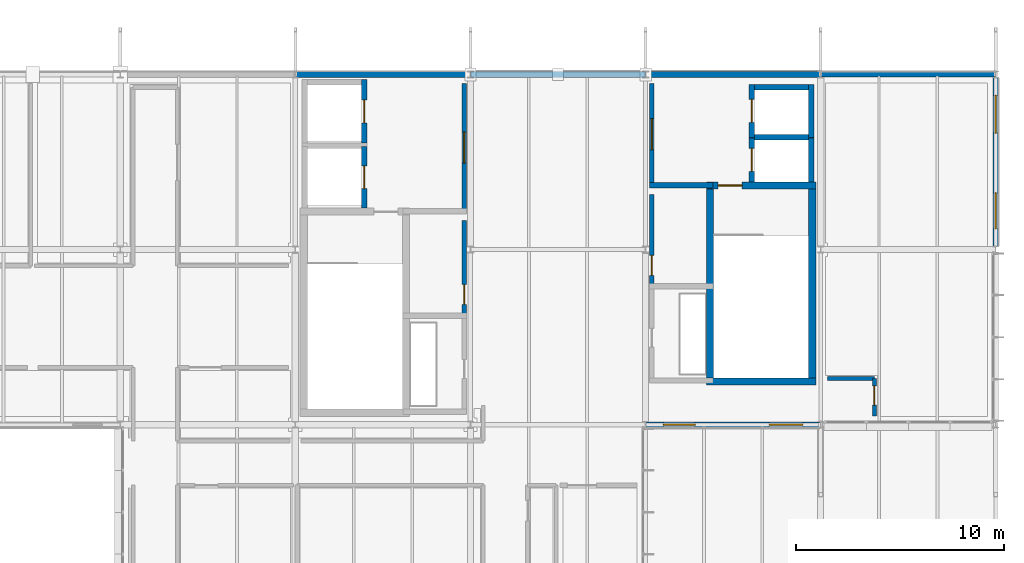
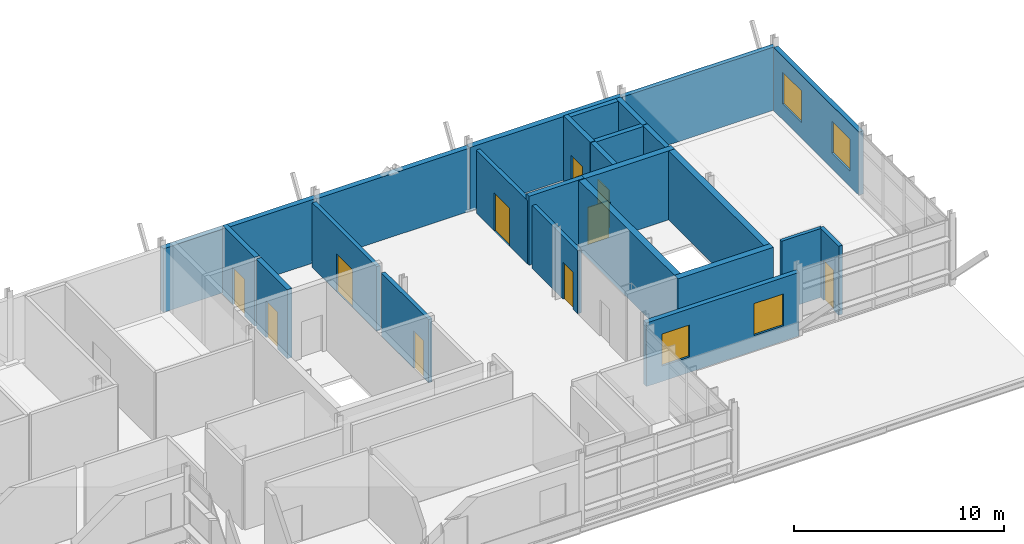
# One storey, part 32 of 35: 25 walls, 10 doors, 4 windows, 14 openings.
"""IFC4 building model written with IfcOpenShell, lengths in metres."""

from ifc_helpers import new_model, si_unit, direction, frame, frame_2d, origin, place, context, subcontext, project, spatial, rectangle, extrude, material, layer, layer_set, type_object, element, fill, save


model = new_model("IFC4")

# Units and contexts
model_context = context("Model", 3, precision=1e-05, world=origin(), true_north=direction((0.0, 1.0)))
body_context = subcontext(model_context, "Body", "Model", "MODEL_VIEW")
ifc_project = project(units=[si_unit("LENGTHUNIT", "METRE"), si_unit("AREAUNIT", "SQUARE_METRE"), si_unit("VOLUMEUNIT", "CUBIC_METRE"), si_unit("PLANEANGLEUNIT", "RADIAN"), si_unit("MASSUNIT", "GRAM", prefix="KILO")], contexts=[model_context])

# Site, building, storey
site_placement = place(None, origin())
site = spatial("IfcSite", under=ifc_project, at=site_placement, CompositionType="ELEMENT")
building_placement = place(site_placement, origin())
building = spatial("IfcBuilding", under=site, at=building_placement, Name="Mersafa Astral City Hall", CompositionType="ELEMENT")
storey_placement = place(building_placement, frame((0.0, 0.0, 30.14990234375)))
storey = spatial("IfcBuildingStorey", under=building, at=storey_placement, Name="L07", CompositionType="ELEMENT", Elevation=30.14990234375)

# Wall
ifc_material_1 = material(Name="Precast concrete C40/50 insulated terracotta spandrel", Category="masonry")
ifc_layer_1 = layer(ifc_material_1, 0.235107421875, Name="Precast concrete C40/50 insulated terracotta spandrel")
ifc_layer_set_1 = layer_set([ifc_layer_1], Name="Precast concrete C40/50 insulated terracotta spandrel — ENV-WAL-EXT-235")
wall_type_1 = type_object("IfcWallType", Name="ENV-WAL-EXT-235", PredefinedType="STANDARD", material=ifc_layer_set_1)
wall_1_placement = place(storey_placement, frame((184.7919921875, 126.0, 0.0), z_axis=(0.0, 0.0, 1.0), x_axis=(-1.0, 0.0, 0.0)))
element("IfcWall", 1, at=wall_1_placement, inside=storey, type_object=wall_type_1, Name="L07 Limestone-clad exterior wall 389", PredefinedType="STANDARD", context=body_context, shape_type="SweptSolid", body=[
    extrude(rectangle(XDim=8.384033203125, YDim=0.235107421875, at=frame_2d((4.19189453125, 0.0))), origin(), (0.0, 0.0, 1.0), 3.662109375),
])

# Wall, openings, windows
ifc_layer_2 = layer(ifc_material_1, 0.25, Name="Precast concrete C40/50 insulated terracotta spandrel")
ifc_layer_set_2 = layer_set([ifc_layer_2], Name="Precast concrete C40/50 insulated terracotta spandrel — ENV-WAL-EXT-250")
wall_type_2 = type_object("IfcWallType", Name="ENV-WAL-EXT-250", PredefinedType="STANDARD", material=ifc_layer_set_2)
wall_2_placement = place(storey_placement, frame((184.800048828125, 117.74609375, 0.0), z_axis=(0.0, 0.0, 1.0), x_axis=(0.0, 1.0, 0.0)))
wall_2 = element("IfcWall", 2, at=wall_2_placement, inside=storey, type_object=wall_type_2, Name="L07 Limestone-clad exterior wall 388", PredefinedType="STANDARD", context=body_context, shape_type="SweptSolid", body=[
    extrude(rectangle(XDim=8.10791015625, YDim=0.25, at=frame_2d((4.053955078125, 0.0))), origin(), (0.0, 0.0, 1.0), 3.662109375),
])
opening_1_placement = place(wall_2_placement, frame((0.85009765625, 0.0, 0.89990234375)))
opening_1 = element("IfcOpeningElement", 3, at=opening_1_placement, cuts=wall_2, Name="Opening W-48", PredefinedType="OPENING", context=body_context, shape_type="SweptSolid", body=[
    extrude(rectangle(XDim=1.719970703125, YDim=1.85009765625, at=frame_2d((0.85986328125, 0.925048828125))), frame((0.0, 0.135009765625, 0.0), z_axis=(0.0, -1.0, 0.0), x_axis=(1.0, 0.0, 0.0)), (0.0, 0.0, 1.0), 0.27001953125),
])
opening_2_placement = place(wall_2_placement, frame((5.43798828125, 0.0, 0.89990234375)))
opening_2 = element("IfcOpeningElement", 4, at=opening_2_placement, cuts=wall_2, Name="Opening W-49", PredefinedType="OPENING", context=body_context, shape_type="SweptSolid", body=[
    extrude(rectangle(XDim=1.820068359375, YDim=1.85009765625, at=frame_2d((0.91015625, 0.925048828125))), frame((0.0, 0.135009765625, 0.0), z_axis=(0.0, -1.0, 0.0), x_axis=(1.0, 0.0, 0.0)), (0.0, 0.0, 1.0), 0.27001953125),
])
ifc_material_2 = material(Name="Solar control low-e double glazing in bronze frame", Category="glass")
window_type_1 = type_object("IfcWindowType", Name="ENV-WIN-W-48", PartitioningType="SINGLE_PANEL", PredefinedType="WINDOW", material=ifc_material_2)
window_1_placement = place(opening_1_placement, origin())
window_1 = element("IfcWindow", 5, at=window_1_placement, inside=storey, type_object=window_type_1, Name="L07 Solar punched window 388-L", OverallHeight=1.85009765625, OverallWidth=1.719970703125, PartitioningType="SINGLE_PANEL", PredefinedType="WINDOW", context=body_context, shape_type="SweptSolid", body=[
    extrude(rectangle(XDim=1.719970703125, YDim=1.85009765625, at=frame_2d((0.85986328125, 0.925048828125))), frame((0.0, 0.030029296875, 0.0), z_axis=(0.0, -1.0, 0.0), x_axis=(1.0, 0.0, 0.0)), (0.0, 0.0, 1.0), 0.06005859375),
])
fill(opening_1, window_1)
window_type_2 = type_object("IfcWindowType", Name="ENV-WIN-W-49", PartitioningType="SINGLE_PANEL", PredefinedType="WINDOW", material=ifc_material_2)
window_2_placement = place(opening_2_placement, origin())
window_2 = element("IfcWindow", 6, at=window_2_placement, inside=storey, type_object=window_type_2, Name="L07 Solar punched window 388-R", OverallHeight=1.85009765625, OverallWidth=1.820068359375, PartitioningType="SINGLE_PANEL", PredefinedType="WINDOW", context=body_context, shape_type="SweptSolid", body=[
    extrude(rectangle(XDim=1.820068359375, YDim=1.85009765625, at=frame_2d((0.91015625, 0.925048828125))), frame((0.0, 0.030029296875, 0.0), z_axis=(0.0, -1.0, 0.0), x_axis=(1.0, 0.0, 0.0)), (0.0, 0.0, 1.0), 0.06005859375),
])
fill(opening_2, window_2)

ifc_material_3 = material(Name="Precast concrete C40/50 insulated limestone wall", Category="masonry")
ifc_layer_3 = layer(ifc_material_3, 0.264892578125, Name="Precast concrete C40/50 insulated limestone wall")
ifc_layer_set_3 = layer_set([ifc_layer_3], Name="Precast concrete C40/50 insulated limestone wall — ENV-WAL-EXT-265")
wall_type_3 = type_object("IfcWallType", Name="ENV-WAL-EXT-265", PredefinedType="STANDARD", material=ifc_layer_set_3)
wall_3_placement = place(storey_placement, frame((168.008056640625, 109.199951171875, 0.0), z_axis=(0.0, 0.0, 1.0), x_axis=(1.0, 0.0, 0.0)))
wall_3 = element("IfcWall", 7, at=wall_3_placement, inside=storey, type_object=wall_type_3, Name="L07 Limestone-clad exterior wall 387", PredefinedType="STANDARD", context=body_context, shape_type="SweptSolid", body=[
    extrude(rectangle(XDim=8.384033203125, YDim=0.264892578125, at=frame_2d((4.19189453125, 0.0))), origin(), (0.0, 0.0, 1.0), 3.692138671875),
])
opening_3_placement = place(wall_3_placement, frame((0.85009765625, 0.0, 0.89990234375)))
opening_3 = element("IfcOpeningElement", 8, at=opening_3_placement, cuts=wall_3, Name="Opening W-46", PredefinedType="OPENING", context=body_context, shape_type="SweptSolid", body=[
    extrude(rectangle(XDim=1.52001953125, YDim=1.85009765625, at=frame_2d((0.760009765625, 0.925048828125))), frame((0.0, 0.142333984375, 0.0), z_axis=(0.0, -1.0, 0.0), x_axis=(1.0, 0.0, 0.0)), (0.0, 0.0, 1.0), 0.284912109375),
])
opening_4_placement = place(wall_3_placement, frame((5.9140625, 0.0, 0.89990234375)))
opening_4 = element("IfcOpeningElement", 9, at=opening_4_placement, cuts=wall_3, Name="Opening W-47", PredefinedType="OPENING", context=body_context, shape_type="SweptSolid", body=[
    extrude(rectangle(XDim=1.6201171875, YDim=1.85009765625, at=frame_2d((0.81005859375, 0.925048828125))), frame((0.0, 0.142333984375, 0.0), z_axis=(0.0, -1.0, 0.0), x_axis=(1.0, 0.0, 0.0)), (0.0, 0.0, 1.0), 0.284912109375),
])
window_type_3 = type_object("IfcWindowType", Name="ENV-WIN-W-46", PartitioningType="SINGLE_PANEL", PredefinedType="WINDOW", material=ifc_material_2)
window_3_placement = place(opening_3_placement, origin())
window_3 = element("IfcWindow", 10, at=window_3_placement, inside=storey, type_object=window_type_3, Name="L07 Solar punched window 387-L", OverallHeight=1.85009765625, OverallWidth=1.52001953125, PartitioningType="SINGLE_PANEL", PredefinedType="WINDOW", context=body_context, shape_type="SweptSolid", body=[
    extrude(rectangle(XDim=1.52001953125, YDim=1.85009765625, at=frame_2d((0.760009765625, 0.925048828125))), frame((0.0, 0.030029296875, 0.0), z_axis=(0.0, -1.0, 0.0), x_axis=(1.0, 0.0, 0.0)), (0.0, 0.0, 1.0), 0.06005859375),
])
fill(opening_3, window_3)
window_type_4 = type_object("IfcWindowType", Name="ENV-WIN-W-47", PartitioningType="SINGLE_PANEL", PredefinedType="WINDOW", material=ifc_material_2)
window_4_placement = place(opening_4_placement, origin())
window_4 = element("IfcWindow", 11, at=window_4_placement, inside=storey, type_object=window_type_4, Name="L07 Solar punched window 387-R", OverallHeight=1.85009765625, OverallWidth=1.6201171875, PartitioningType="SINGLE_PANEL", PredefinedType="WINDOW", context=body_context, shape_type="SweptSolid", body=[
    extrude(rectangle(XDim=1.6201171875, YDim=1.85009765625, at=frame_2d((0.81005859375, 0.925048828125))), frame((0.0, 0.030029296875, 0.0), z_axis=(0.0, -1.0, 0.0), x_axis=(1.0, 0.0, 0.0)), (0.0, 0.0, 1.0), 0.06005859375),
])
fill(opening_4, window_4)

# Walls
ifc_layer_4 = layer(ifc_material_3, 0.280029296875, Name="Precast concrete C40/50 insulated limestone wall")
ifc_layer_set_4 = layer_set([ifc_layer_4], Name="Precast concrete C40/50 insulated limestone wall — ENV-WAL-EXT-280")
wall_type_4 = type_object("IfcWallType", Name="ENV-WAL-EXT-280", PredefinedType="STANDARD", material=ifc_layer_set_4)
wall_4_placement = place(storey_placement, frame((159.592041015625, 126.0, 0.0), z_axis=(0.0, 0.0, 1.0), x_axis=(-1.0, 0.0, 0.0)))
element("IfcWall", 12, at=wall_4_placement, inside=storey, type_object=wall_type_4, Name="L07 Limestone-clad exterior wall 392", PredefinedType="STANDARD", context=body_context, shape_type="SweptSolid", body=[
    extrude(rectangle(XDim=8.384033203125, YDim=0.280029296875, at=frame_2d((4.19189453125, 0.0))), origin(), (0.0, 0.0, 1.0), 3.692138671875),
])
ifc_layer_5 = layer(ifc_material_3, 0.294921875, Name="Precast concrete C40/50 insulated limestone wall")
ifc_layer_set_5 = layer_set([ifc_layer_5], Name="Precast concrete C40/50 insulated limestone wall — ENV-WAL-EXT-295")
wall_type_5 = type_object("IfcWallType", Name="ENV-WAL-EXT-295", PredefinedType="STANDARD", material=ifc_layer_set_5)
wall_5_placement = place(storey_placement, frame((167.991943359375, 126.0, 0.0), z_axis=(0.0, 0.0, 1.0), x_axis=(-1.0, 0.0, 0.0)))
element("IfcWall", 13, at=wall_5_placement, inside=storey, type_object=wall_type_5, Name="L07 Limestone-clad exterior wall 391", PredefinedType="STANDARD", context=body_context, shape_type="SweptSolid", body=[
    extrude(rectangle(XDim=8.384033203125, YDim=0.294921875, at=frame_2d((4.19189453125, 0.0))), origin(), (0.0, 0.0, 1.0), 3.662109375),
])
ifc_layer_6 = layer(ifc_material_3, 0.31005859375, Name="Precast concrete C40/50 insulated limestone wall")
ifc_layer_set_6 = layer_set([ifc_layer_6], Name="Precast concrete C40/50 insulated limestone wall — ENV-WAL-EXT-310")
wall_type_6 = type_object("IfcWallType", Name="ENV-WAL-EXT-310", PredefinedType="STANDARD", material=ifc_layer_set_6)
wall_6_placement = place(storey_placement, frame((176.39208984375, 126.0, 0.0), z_axis=(0.0, 0.0, 1.0), x_axis=(-1.0, 0.0, 0.0)))
element("IfcWall", 14, at=wall_6_placement, inside=storey, type_object=wall_type_6, Name="L07 Limestone-clad exterior wall 390", PredefinedType="STANDARD", context=body_context, shape_type="SweptSolid", body=[
    extrude(rectangle(XDim=8.384033203125, YDim=0.31005859375, at=frame_2d((4.19189453125, 0.0))), origin(), (0.0, 0.0, 1.0), 3.692138671875),
])

# Wall, opening, door
ifc_material_4 = material(Name="Concrete C40/50", Category="concrete")
ifc_layer_7 = layer(ifc_material_4, 0.260009765625, Name="Concrete C40/50")
ifc_layer_set_7 = layer_set([ifc_layer_7], Name="Concrete C40/50 — INT-WAL-CORE-260")
wall_type_7 = type_object("IfcWallType", Name="INT-WAL-CORE-260", PredefinedType="SHEAR", material=ifc_layer_set_7)
wall_7_placement = place(storey_placement, frame((154.514892578125, 119.596923828125, 0.0), z_axis=(0.0, 0.0, 1.0), x_axis=(0.0, 1.0, 0.0)))
wall_7 = element("IfcWall", 15, at=wall_7_placement, inside=storey, type_object=wall_type_7, Name="L07 Lift LF1 front shaft wall", PredefinedType="SHEAR", context=body_context, shape_type="SweptSolid", body=[
    extrude(rectangle(XDim=2.947998046875, YDim=0.260009765625, at=frame_2d((1.47412109375, 0.0))), origin(), (0.0, 0.0, 1.0), 4.0),
])
opening_5_placement = place(wall_7_placement, frame((0.924072265625, 0.0, 0.0)))
opening_5 = element("IfcOpeningElement", 16, at=opening_5_placement, cuts=wall_7, Name="Opening LD-1", PredefinedType="OPENING", context=body_context, shape_type="SweptSolid", body=[
    extrude(rectangle(XDim=1.10009765625, YDim=2.14990234375, at=frame_2d((0.550048828125, 1.074951171875))), frame((0.0, 0.139892578125, 0.0), z_axis=(0.0, -1.0, 0.0), x_axis=(1.0, 0.0, 0.0)), (0.0, 0.0, 1.0), 0.280029296875),
])
ifc_material_5 = material(Name="Stainless steel sliding lift landing door", Category="steel")
door_type_1 = type_object("IfcDoorType", Name="INT-DR-LIFT-LD1", OperationType="NOTDEFINED", PredefinedType="DOOR", material=ifc_material_5)
door_1_placement = place(opening_5_placement, origin())
door_1 = element("IfcDoor", 17, at=door_1_placement, inside=storey, type_object=door_type_1, Name="Elevator LF1 Sliding Landing Door L07", OperationType="DOUBLE_DOOR_SLIDING", OverallHeight=2.14990234375, OverallWidth=1.10009765625, PredefinedType="DOOR", context=body_context, shape_type="SweptSolid", body=[
    extrude(rectangle(XDim=1.10009765625, YDim=2.14990234375, at=frame_2d((0.550048828125, 1.074951171875))), frame((0.0, 0.02490234375, 0.0), z_axis=(0.0, -1.0, 0.0), x_axis=(1.0, 0.0, 0.0)), (0.0, 0.0, 1.0), 0.050048828125),
])
fill(opening_5, door_1)

wall_8_placement = place(storey_placement, frame((154.514892578125, 122.705078125, 0.0), z_axis=(0.0, 0.0, 1.0), x_axis=(0.0, 1.0, 0.0)))
wall_8 = element("IfcWall", 18, at=wall_8_placement, inside=storey, type_object=wall_type_7, Name="L07 Lift LF3 front shaft wall", PredefinedType="SHEAR", context=body_context, shape_type="SweptSolid", body=[
    extrude(rectangle(XDim=3.059814453125, YDim=0.260009765625, at=frame_2d((1.52978515625, 0.0))), origin(), (0.0, 0.0, 1.0), 4.0),
])
opening_6_placement = place(wall_8_placement, frame((0.97998046875, 0.0, 0.0)))
opening_6 = element("IfcOpeningElement", 19, at=opening_6_placement, cuts=wall_8, Name="Opening LD-1", PredefinedType="OPENING", context=body_context, shape_type="SweptSolid", body=[
    extrude(rectangle(XDim=1.10009765625, YDim=2.14990234375, at=frame_2d((0.550048828125, 1.074951171875))), frame((0.0, 0.139892578125, 0.0), z_axis=(0.0, -1.0, 0.0), x_axis=(1.0, 0.0, 0.0)), (0.0, 0.0, 1.0), 0.280029296875),
])
door_2_placement = place(opening_6_placement, origin())
door_2 = element("IfcDoor", 20, at=door_2_placement, inside=storey, type_object=door_type_1, Name="Elevator LF3 Sliding Landing Door L07", OperationType="DOUBLE_DOOR_SLIDING", OverallHeight=2.14990234375, OverallWidth=1.10009765625, PredefinedType="DOOR", context=body_context, shape_type="SweptSolid", body=[
    extrude(rectangle(XDim=1.10009765625, YDim=2.14990234375, at=frame_2d((0.550048828125, 1.074951171875))), frame((0.0, 0.02490234375, 0.0), z_axis=(0.0, -1.0, 0.0), x_axis=(1.0, 0.0, 0.0)), (0.0, 0.0, 1.0), 0.050048828125),
])
fill(opening_6, door_2)

# Walls
wall_9_placement = place(storey_placement, frame((172.955078125, 122.9951171875, 0.0), z_axis=(0.0, 0.0, 1.0), x_axis=(1.0, 0.0, 0.0)))
element("IfcWall", 21, at=wall_9_placement, inside=storey, type_object=wall_type_7, Name="L07 Lift LF2 north shaft wall", PredefinedType="SHEAR", context=body_context, shape_type="SweptSolid", body=[
    extrude(rectangle(XDim=3.1298828125, YDim=0.260009765625, at=frame_2d((1.56494140625, 0.0))), origin(), (0.0, 0.0, 1.0), 4.0),
])
wall_10_placement = place(storey_placement, frame((175.955078125, 120.846923828125, 0.0), z_axis=(0.0, 0.0, 1.0), x_axis=(0.0, 1.0, 0.0)))
element("IfcWall", 22, at=wall_10_placement, inside=storey, type_object=wall_type_7, Name="L07 Lift LF2 back shaft wall", PredefinedType="SHEAR", context=body_context, shape_type="SweptSolid", body=[
    extrude(rectangle(XDim=2.108154296875, YDim=0.260009765625, at=frame_2d((1.05419921875, 0.0))), origin(), (0.0, 0.0, 1.0), 4.0),
])

# Wall, opening, door
wall_11_placement = place(storey_placement, frame((173.0849609375, 120.846923828125, 0.0), z_axis=(0.0, 0.0, 1.0), x_axis=(0.0, 1.0, 0.0)))
wall_11 = element("IfcWall", 23, at=wall_11_placement, inside=storey, type_object=wall_type_7, Name="L07 Lift LF2 front shaft wall", PredefinedType="SHEAR", context=body_context, shape_type="SweptSolid", body=[
    extrude(rectangle(XDim=2.108154296875, YDim=0.260009765625, at=frame_2d((1.05419921875, 0.0))), origin(), (0.0, 0.0, 1.0), 4.0),
])
opening_7_placement = place(wall_11_placement, frame((0.50390625, 0.0, 0.0)))
opening_7 = element("IfcOpeningElement", 24, at=opening_7_placement, cuts=wall_11, Name="Opening LD-1", PredefinedType="OPENING", context=body_context, shape_type="SweptSolid", body=[
    extrude(rectangle(XDim=1.10009765625, YDim=2.14990234375, at=frame_2d((0.550048828125, 1.074951171875))), frame((0.0, 0.139892578125, 0.0), z_axis=(0.0, -1.0, 0.0), x_axis=(1.0, 0.0, 0.0)), (0.0, 0.0, 1.0), 0.280029296875),
])
door_3_placement = place(opening_7_placement, origin())
door_3 = element("IfcDoor", 25, at=door_3_placement, inside=storey, type_object=door_type_1, Name="Elevator LF2 Sliding Landing Door L07", OperationType="DOUBLE_DOOR_SLIDING", OverallHeight=2.14990234375, OverallWidth=1.10009765625, PredefinedType="DOOR", context=body_context, shape_type="SweptSolid", body=[
    extrude(rectangle(XDim=1.10009765625, YDim=2.14990234375, at=frame_2d((0.550048828125, 1.074951171875))), frame((0.0, 0.02490234375, 0.0), z_axis=(0.0, -1.0, 0.0), x_axis=(1.0, 0.0, 0.0)), (0.0, 0.0, 1.0), 0.050048828125),
])
fill(opening_7, door_3)

# Walls
wall_12_placement = place(storey_placement, frame((172.955078125, 125.39501953125, 0.0), z_axis=(0.0, 0.0, 1.0), x_axis=(1.0, 0.0, 0.0)))
element("IfcWall", 26, at=wall_12_placement, inside=storey, type_object=wall_type_7, Name="L07 Lift LF4 north shaft wall", PredefinedType="SHEAR", context=body_context, shape_type="SweptSolid", body=[
    extrude(rectangle(XDim=3.1298828125, YDim=0.260009765625, at=frame_2d((1.56494140625, 0.0))), origin(), (0.0, 0.0, 1.0), 4.0),
])
wall_13_placement = place(storey_placement, frame((175.955078125, 122.985107421875, 0.0), z_axis=(0.0, 0.0, 1.0), x_axis=(0.0, 1.0, 0.0)))
element("IfcWall", 27, at=wall_13_placement, inside=storey, type_object=wall_type_7, Name="L07 Lift LF4 back shaft wall", PredefinedType="SHEAR", context=body_context, shape_type="SweptSolid", body=[
    extrude(rectangle(XDim=2.539794921875, YDim=0.260009765625, at=frame_2d((1.27001953125, 0.0))), origin(), (0.0, 0.0, 1.0), 4.0),
])

# Wall, opening, door
wall_14_placement = place(storey_placement, frame((173.0849609375, 122.985107421875, 0.0), z_axis=(0.0, 0.0, 1.0), x_axis=(0.0, 1.0, 0.0)))
wall_14 = element("IfcWall", 28, at=wall_14_placement, inside=storey, type_object=wall_type_7, Name="L07 Lift LF4 front shaft wall", PredefinedType="SHEAR", context=body_context, shape_type="SweptSolid", body=[
    extrude(rectangle(XDim=2.539794921875, YDim=0.260009765625, at=frame_2d((1.27001953125, 0.0))), origin(), (0.0, 0.0, 1.0), 4.0),
])
opening_8_placement = place(wall_14_placement, frame((0.719970703125, 0.0, 0.0)))
opening_8 = element("IfcOpeningElement", 29, at=opening_8_placement, cuts=wall_14, Name="Opening LD-1", PredefinedType="OPENING", context=body_context, shape_type="SweptSolid", body=[
    extrude(rectangle(XDim=1.10009765625, YDim=2.14990234375, at=frame_2d((0.550048828125, 1.074951171875))), frame((0.0, 0.139892578125, 0.0), z_axis=(0.0, -1.0, 0.0), x_axis=(1.0, 0.0, 0.0)), (0.0, 0.0, 1.0), 0.280029296875),
])
door_4_placement = place(opening_8_placement, origin())
door_4 = element("IfcDoor", 30, at=door_4_placement, inside=storey, type_object=door_type_1, Name="Elevator LF4 Sliding Landing Door L07", OperationType="DOUBLE_DOOR_SLIDING", OverallHeight=2.14990234375, OverallWidth=1.10009765625, PredefinedType="DOOR", context=body_context, shape_type="SweptSolid", body=[
    extrude(rectangle(XDim=1.10009765625, YDim=2.14990234375, at=frame_2d((0.550048828125, 1.074951171875))), frame((0.0, 0.02490234375, 0.0), z_axis=(0.0, -1.0, 0.0), x_axis=(1.0, 0.0, 0.0)), (0.0, 0.0, 1.0), 0.050048828125),
])
fill(opening_8, door_4)

# Walls
wall_15_placement = place(storey_placement, frame((168.199951171875, 120.68994140625, 0.0), z_axis=(0.0, 0.0, 1.0), x_axis=(1.0, 0.0, 0.0)))
element("IfcWall", 31, at=wall_15_placement, inside=storey, type_object=wall_type_7, Name="L07 Core K2 restroom-lobby divider wall", PredefinedType="SHEAR", context=body_context, shape_type="SweptSolid", body=[
    extrude(rectangle(XDim=3.03515625, YDim=0.260009765625, at=frame_2d((1.517578125, 0.0))), origin(), (0.0, 0.0, 1.0), 4.0),
])
ifc_layer_8 = layer(ifc_material_4, 0.340087890625, Name="Concrete C40/50")
ifc_layer_set_8 = layer_set([ifc_layer_8], Name="Concrete C40/50 — INT-WAL-CORE-340")
wall_type_8 = type_object("IfcWallType", Name="INT-WAL-CORE-340", PredefinedType="SHEAR", material=ifc_layer_set_8)
for number, where, z_axis, x_axis, name in (
    (32, (171.0849609375, 111.10498046875, 0.0), (0.0, 0.0, 1.0), (0.0, 1.0, 0.0), "L07 Core K2 stair west shear wall"),
    (33, (175.9951171875, 111.10498046875, 0.0), (0.0, 0.0, 1.0), (0.0, 1.0, 0.0), "L07 Core K2 stair east shear wall"),
):
    element("IfcWall", number, at=place(storey_placement, frame(where, z_axis=z_axis, x_axis=x_axis)), inside=storey, type_object=wall_type_8, Name=name, PredefinedType="SHEAR", context=body_context, shape_type="SweptSolid", body=[
        extrude(rectangle(XDim=9.739990234375, YDim=0.340087890625, at=frame_2d((4.8701171875, 0.0))), origin(), (0.0, 0.0, 1.0), 4.0),
    ])
wall_16_placement = place(storey_placement, frame((170.9150390625, 111.27490234375, 0.0), z_axis=(0.0, 0.0, 1.0), x_axis=(1.0, 0.0, 0.0)))
element("IfcWall", 34, at=wall_16_placement, inside=storey, type_object=wall_type_8, Name="L07 Core K2 stair south shear wall", PredefinedType="SHEAR", context=body_context, shape_type="SweptSolid", body=[
    extrude(rectangle(XDim=5.25, YDim=0.340087890625, at=frame_2d((2.625, 0.0))), origin(), (0.0, 0.0, 1.0), 4.0),
])

# Wall, opening, door
wall_17_placement = place(storey_placement, frame((170.9150390625, 120.675048828125, 0.0), z_axis=(0.0, 0.0, 1.0), x_axis=(1.0, 0.0, 0.0)))
wall_17 = element("IfcWall", 35, at=wall_17_placement, inside=storey, type_object=wall_type_8, Name="L07 Core K2 stair-lobby fire wall", PredefinedType="SHEAR", context=body_context, shape_type="SweptSolid", body=[
    extrude(rectangle(XDim=5.25, YDim=0.340087890625, at=frame_2d((2.625, 0.0))), origin(), (0.0, 0.0, 1.0), 4.0),
])
opening_9_placement = place(wall_17_placement, frame((0.56494140625, 0.0, 0.0)))
opening_9 = element("IfcOpeningElement", 36, at=opening_9_placement, cuts=wall_17, Name="Opening CD-1", PredefinedType="OPENING", context=body_context, shape_type="SweptSolid", body=[
    extrude(rectangle(XDim=1.14990234375, YDim=2.14990234375, at=frame_2d((0.574951171875, 1.074951171875))), frame((0.0, 0.179931640625, 0.0), z_axis=(0.0, -1.0, 0.0), x_axis=(1.0, 0.0, 0.0)), (0.0, 0.0, 1.0), 0.360107421875),
])
ifc_material_6 = material(Name="Fire-rated steel stair door", Category="steel")
door_type_2 = type_object("IfcDoorType", Name="INT-DR-STAIR-FD90-1150", OperationType="NOTDEFINED", PredefinedType="DOOR", material=ifc_material_6)
door_5_placement = place(opening_9_placement, origin())
door_5 = element("IfcDoor", 37, at=door_5_placement, inside=storey, type_object=door_type_2, Name="L07 Protected Stair ST2 Door", OperationType="SINGLE_SWING_LEFT", OverallHeight=2.14990234375, OverallWidth=1.14990234375, PredefinedType="DOOR", context=body_context, shape_type="SweptSolid", body=[
    extrude(rectangle(XDim=1.14990234375, YDim=2.14990234375, at=frame_2d((0.574951171875, 1.074951171875))), frame((0.0, 0.02490234375, 0.0), z_axis=(0.0, -1.0, 0.0), x_axis=(1.0, 0.0, 0.0)), (0.0, 0.0, 1.0), 0.050048828125),
])
fill(opening_9, door_5)

# Wall
ifc_material_7 = material(Name="Acoustic twin-stud gypsum partition", Category="gypsum")
ifc_layer_9 = layer(ifc_material_7, 0.179931640625, Name="Acoustic twin-stud gypsum partition")
ifc_layer_set_9 = layer_set([ifc_layer_9], Name="Acoustic twin-stud gypsum partition — INT-WAL-PART-EI60-180")
wall_type_9 = type_object("IfcWallType", Name="INT-WAL-PART-EI60-180", PredefinedType="STANDARD", material=ifc_layer_set_9)
wall_18_placement = place(storey_placement, frame((178.97998046875, 111.419921875, -0.00390625), z_axis=(0.0, 0.0, 1.0), x_axis=(-1.0, 0.0, 0.0)))
element("IfcWall", 38, at=wall_18_placement, inside=storey, type_object=wall_type_9, Name="L07 Interior partition wall 866", PredefinedType="STANDARD", context=body_context, shape_type="SweptSolid", body=[
    extrude(rectangle(XDim=2.239990234375, YDim=0.179931640625, at=frame_2d((1.1201171875, 0.0))), origin(), (0.0, 0.0, 1.0), 4.00390625),
])

# Wall, opening, door
ifc_layer_10 = layer(ifc_material_7, 0.195068359375, Name="Acoustic twin-stud gypsum partition")
ifc_layer_set_10 = layer_set([ifc_layer_10], Name="Acoustic twin-stud gypsum partition — INT-WAL-PART-EI60-195")
wall_type_10 = type_object("IfcWallType", Name="INT-WAL-PART-EI60-195", PredefinedType="STANDARD", material=ifc_layer_set_10)
wall_19_placement = place(storey_placement, frame((178.97998046875, 109.6201171875, -0.00390625), z_axis=(0.0, 0.0, 1.0), x_axis=(0.0, 1.0, 0.0)))
wall_19 = element("IfcWall", 39, at=wall_19_placement, inside=storey, type_object=wall_type_10, Name="L07 Interior partition wall 865", PredefinedType="STANDARD", context=body_context, shape_type="SweptSolid", body=[
    extrude(rectangle(XDim=1.7998046875, YDim=0.195068359375, at=frame_2d((0.89990234375, 0.0))), origin(), (0.0, 0.0, 1.0), 4.00390625),
])
opening_10_placement = place(wall_19_placement, frame((0.52001953125, 0.0, 0.0)))
opening_10 = element("IfcOpeningElement", 40, at=opening_10_placement, cuts=wall_19, Name="Opening D-28", PredefinedType="OPENING", context=body_context, shape_type="SweptSolid", body=[
    extrude(rectangle(XDim=0.919921875, YDim=2.300048828125, at=frame_2d((0.4599609375, 1.14990234375))), frame((0.0, 0.107421875, 0.0), z_axis=(0.0, -1.0, 0.0), x_axis=(1.0, 0.0, 0.0)), (0.0, 0.0, 1.0), 0.215087890625),
])
ifc_material_8 = material(Name="Cedar veneered acoustic fire-rated timber door", Category="wood")
door_type_3 = type_object("IfcDoorType", Name="INT-DR-RM-D-28", OperationType="NOTDEFINED", PredefinedType="DOOR", material=ifc_material_8)
door_6_placement = place(opening_10_placement, origin())
door_6 = element("IfcDoor", 41, at=door_6_placement, inside=storey, type_object=door_type_3, Name="L07 Astral Observatory Civic Gallery L07-01 Entrance Door", OperationType="SINGLE_SWING_RIGHT", OverallHeight=2.300048828125, OverallWidth=0.919921875, PredefinedType="DOOR", context=body_context, shape_type="SweptSolid", body=[
    extrude(rectangle(XDim=0.919921875, YDim=2.300048828125, at=frame_2d((0.4599609375, 1.14990234375))), frame((0.0, 0.02490234375, 0.0), z_axis=(0.0, -1.0, 0.0), x_axis=(1.0, 0.0, 0.0)), (0.0, 0.0, 1.0), 0.050048828125),
])
fill(opening_10, door_6)

ifc_material_9 = material(Name="Autoclaved aerated concrete blockwork plastered", Category="masonry")
ifc_layer_11 = layer(ifc_material_9, 0.2099609375, Name="Autoclaved aerated concrete blockwork plastered")
ifc_layer_set_11 = layer_set([ifc_layer_11], Name="Autoclaved aerated concrete blockwork plastered — INT-WAL-PART-EI60-210")
wall_type_11 = type_object("IfcWallType", Name="INT-WAL-PART-EI60-210", PredefinedType="STANDARD", material=ifc_layer_set_11)
wall_20_placement = place(storey_placement, frame((159.300048828125, 114.52001953125, 0.0), z_axis=(0.0, 0.0, 1.0), x_axis=(0.0, 1.0, 0.0)))
wall_20 = element("IfcWall", 42, at=wall_20_placement, inside=storey, type_object=wall_type_11, Name="L07 Core K1 accessible WC corridor partition", PredefinedType="STANDARD", context=body_context, shape_type="SweptSolid", body=[
    extrude(rectangle(XDim=4.47998046875, YDim=0.2099609375, at=frame_2d((2.239990234375, 0.0))), origin(), (0.0, 0.0, 1.0), 3.662109375),
])
opening_11_placement = place(wall_20_placement, frame((0.449951171875, 0.0, 0.0)))
opening_11 = element("IfcOpeningElement", 43, at=opening_11_placement, cuts=wall_20, Name="Opening CD-4", PredefinedType="OPENING", context=body_context, shape_type="SweptSolid", body=[
    extrude(rectangle(XDim=0.949951171875, YDim=2.14990234375, at=frame_2d((0.47509765625, 1.074951171875))), frame((0.0, 0.114990234375, 0.0), z_axis=(0.0, -1.0, 0.0), x_axis=(1.0, 0.0, 0.0)), (0.0, 0.0, 1.0), 0.22998046875),
])
ifc_material_10 = material(Name="Accessible timber acoustic WC door", Category="wood")
door_type_4 = type_object("IfcDoorType", Name="INT-DR-WC-FD30-950", OperationType="NOTDEFINED", PredefinedType="DOOR", material=ifc_material_10)
door_7_placement = place(opening_11_placement, origin())
door_7 = element("IfcDoor", 44, at=door_7_placement, inside=storey, type_object=door_type_4, Name="L07 K1 Accessible Restroom Door", OperationType="SINGLE_SWING_LEFT", OverallHeight=2.14990234375, OverallWidth=0.949951171875, PredefinedType="DOOR", context=body_context, shape_type="SweptSolid", body=[
    extrude(rectangle(XDim=0.949951171875, YDim=2.14990234375, at=frame_2d((0.47509765625, 1.074951171875))), frame((0.0, 0.02490234375, 0.0), z_axis=(0.0, -1.0, 0.0), x_axis=(1.0, 0.0, 0.0)), (0.0, 0.0, 1.0), 0.050048828125),
])
fill(opening_11, door_7)

wall_21_placement = place(storey_placement, frame((159.300048828125, 119.43994140625, 0.0), z_axis=(0.0, 0.0, 1.0), x_axis=(0.0, 1.0, 0.0)))
wall_21 = element("IfcWall", 45, at=wall_21_placement, inside=storey, type_object=wall_type_11, Name="L07 Core K1 lobby corridor partition", PredefinedType="STANDARD", context=body_context, shape_type="SweptSolid", body=[
    extrude(rectangle(XDim=6.1201171875, YDim=0.2099609375, at=frame_2d((3.06005859375, 0.0))), origin(), (0.0, 0.0, 1.0), 3.752197265625),
])
opening_12_placement = place(wall_21_placement, frame((2.31005859375, 0.0, 0.0)))
opening_12 = element("IfcOpeningElement", 46, at=opening_12_placement, cuts=wall_21, Name="Opening CD-3", PredefinedType="OPENING", context=body_context, shape_type="SweptSolid", body=[
    extrude(rectangle(XDim=1.5, YDim=2.199951171875, at=frame_2d((0.75, 1.10009765625))), frame((0.0, 0.114990234375, 0.0), z_axis=(0.0, -1.0, 0.0), x_axis=(1.0, 0.0, 0.0)), (0.0, 0.0, 1.0), 0.22998046875),
])
ifc_material_11 = material(Name="Fire-rated glazed lobby door pair", Category="metal")
door_type_5 = type_object("IfcDoorType", Name="INT-DR-LOBBY-FD90-1500", OperationType="NOTDEFINED", PredefinedType="DOOR", material=ifc_material_11)
door_8_placement = place(opening_12_placement, origin())
door_8 = element("IfcDoor", 47, at=door_8_placement, inside=storey, type_object=door_type_5, Name="L07 K1 Lift Lobby Fire Door", OperationType="DOUBLE_DOOR_SINGLE_SWING", OverallHeight=2.199951171875, OverallWidth=1.5, PredefinedType="DOOR", context=body_context, shape_type="SweptSolid", body=[
    extrude(rectangle(XDim=1.5, YDim=2.199951171875, at=frame_2d((0.75, 1.10009765625))), frame((0.0, 0.02490234375, 0.0), z_axis=(0.0, -1.0, 0.0), x_axis=(1.0, 0.0, 0.0)), (0.0, 0.0, 1.0), 0.050048828125),
])
fill(opening_12, door_8)

wall_22_placement = place(storey_placement, frame((168.300048828125, 115.919921875, 0.0), z_axis=(0.0, 0.0, 1.0), x_axis=(0.0, 1.0, 0.0)))
wall_22 = element("IfcWall", 48, at=wall_22_placement, inside=storey, type_object=wall_type_11, Name="L07 Core K2 accessible WC corridor partition", PredefinedType="STANDARD", context=body_context, shape_type="SweptSolid", body=[
    extrude(rectangle(XDim=4.330078125, YDim=0.2099609375, at=frame_2d((2.1650390625, 0.0))), origin(), (0.0, 0.0, 1.0), 3.662109375),
])
opening_13_placement = place(wall_22_placement, frame((0.449951171875, 0.0, 0.0)))
opening_13 = element("IfcOpeningElement", 49, at=opening_13_placement, cuts=wall_22, Name="Opening CD-4", PredefinedType="OPENING", context=body_context, shape_type="SweptSolid", body=[
    extrude(rectangle(XDim=0.949951171875, YDim=2.14990234375, at=frame_2d((0.47509765625, 1.074951171875))), frame((0.0, 0.114990234375, 0.0), z_axis=(0.0, -1.0, 0.0), x_axis=(1.0, 0.0, 0.0)), (0.0, 0.0, 1.0), 0.22998046875),
])
door_9_placement = place(opening_13_placement, origin())
door_9 = element("IfcDoor", 50, at=door_9_placement, inside=storey, type_object=door_type_4, Name="L07 K2 Accessible Restroom Door", OperationType="SINGLE_SWING_RIGHT", OverallHeight=2.14990234375, OverallWidth=0.949951171875, PredefinedType="DOOR", context=body_context, shape_type="SweptSolid", body=[
    extrude(rectangle(XDim=0.949951171875, YDim=2.14990234375, at=frame_2d((0.47509765625, 1.074951171875))), frame((0.0, 0.02490234375, 0.0), z_axis=(0.0, -1.0, 0.0), x_axis=(1.0, 0.0, 0.0)), (0.0, 0.0, 1.0), 0.050048828125),
])
fill(opening_13, door_9)

wall_23_placement = place(storey_placement, frame((168.300048828125, 120.699951171875, 0.0), z_axis=(0.0, 0.0, 1.0), x_axis=(0.0, 1.0, 0.0)))
wall_23 = element("IfcWall", 51, at=wall_23_placement, inside=storey, type_object=wall_type_11, Name="L07 Core K2 lobby corridor partition", PredefinedType="STANDARD", context=body_context, shape_type="SweptSolid", body=[
    extrude(rectangle(XDim=4.860107421875, YDim=0.2099609375, at=frame_2d((2.43017578125, 0.0))), origin(), (0.0, 0.0, 1.0), 3.662109375),
])
opening_14_placement = place(wall_23_placement, frame((1.679931640625, 0.0, 0.0)))
opening_14 = element("IfcOpeningElement", 52, at=opening_14_placement, cuts=wall_23, Name="Opening CD-3", PredefinedType="OPENING", context=body_context, shape_type="SweptSolid", body=[
    extrude(rectangle(XDim=1.5, YDim=2.199951171875, at=frame_2d((0.75, 1.10009765625))), frame((0.0, 0.114990234375, 0.0), z_axis=(0.0, -1.0, 0.0), x_axis=(1.0, 0.0, 0.0)), (0.0, 0.0, 1.0), 0.22998046875),
])
door_10_placement = place(opening_14_placement, origin())
door_10 = element("IfcDoor", 53, at=door_10_placement, inside=storey, type_object=door_type_5, Name="L07 K2 Lift Lobby Fire Door", OperationType="DOUBLE_DOOR_SINGLE_SWING", OverallHeight=2.199951171875, OverallWidth=1.5, PredefinedType="DOOR", context=body_context, shape_type="SweptSolid", body=[
    extrude(rectangle(XDim=1.5, YDim=2.199951171875, at=frame_2d((0.75, 1.10009765625))), frame((0.0, 0.02490234375, 0.0), z_axis=(0.0, -1.0, 0.0), x_axis=(1.0, 0.0, 0.0)), (0.0, 0.0, 1.0), 0.050048828125),
])
fill(opening_14, door_10)

save(model, "model.ifc")
